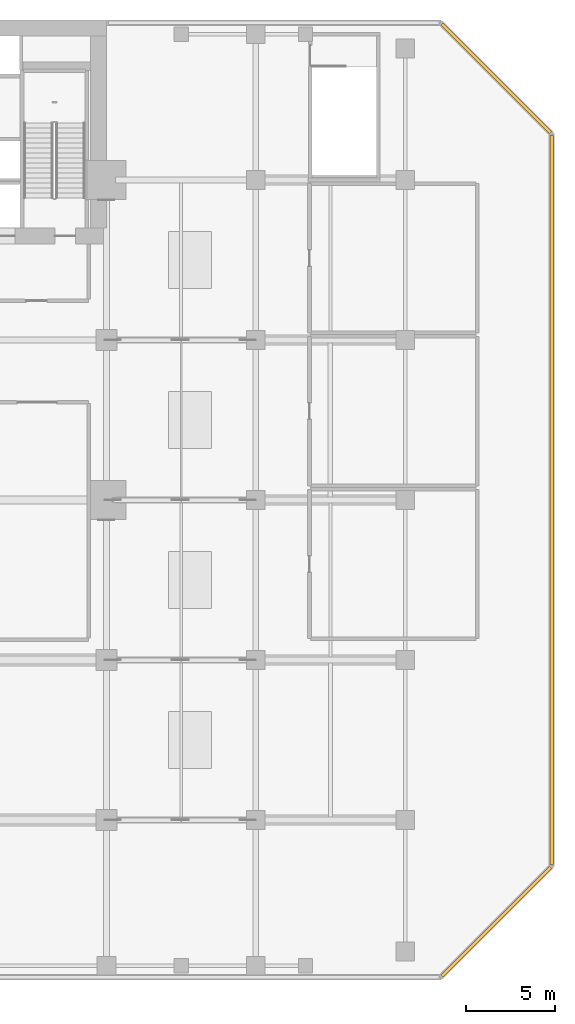
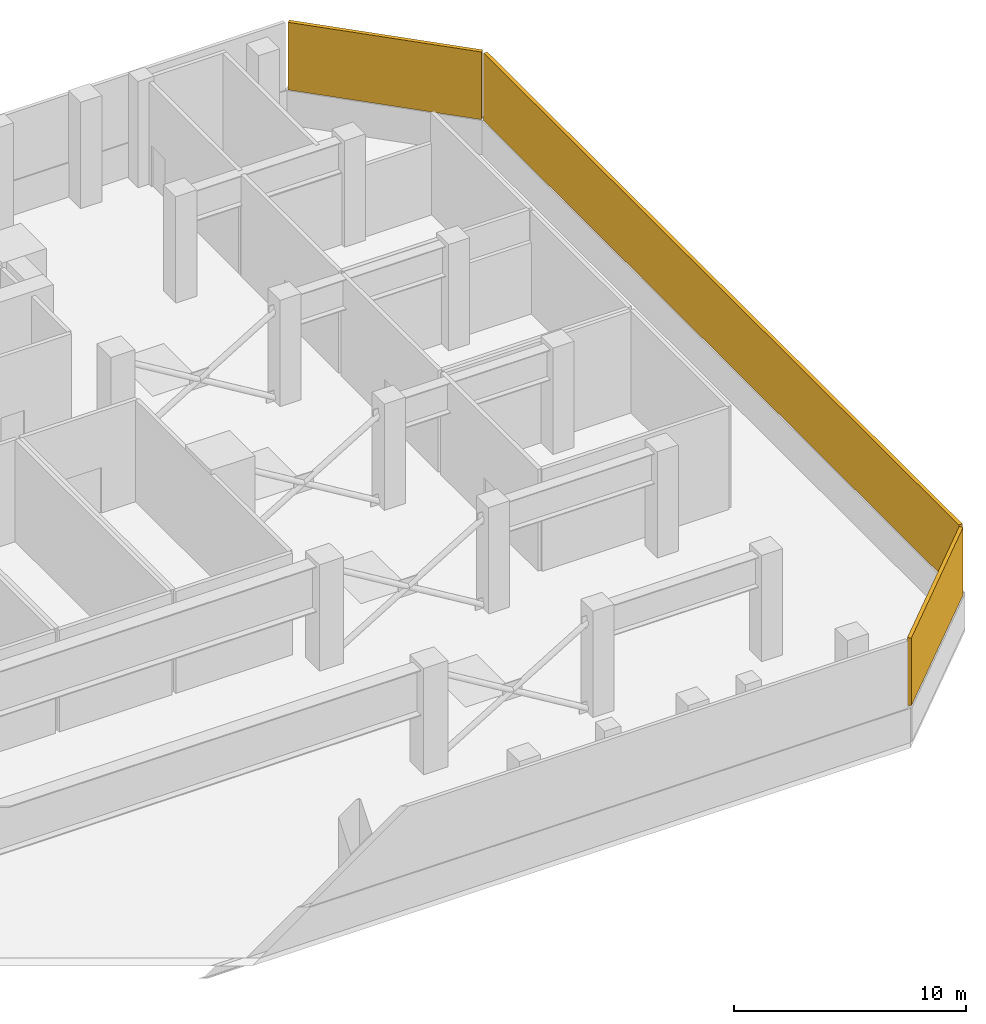
# One storey, part 15 of 15: 3 shading devices.
"""IFC4 building model written with IfcOpenShell, lengths in metres."""

from ifc_helpers import new_model, si_unit, direction, frame, origin, origin_2d, place, context, subcontext, project, spatial, rectangle, extrude, material, layer, layer_set, type_object, element, save


model = new_model("IFC4")

# Units and contexts
model_context = context("Model", 3, precision=1e-05, world=origin(), true_north=direction((0.0, 1.0)))
body_context = subcontext(model_context, "Body", "Model", "MODEL_VIEW")
ifc_project = project(units=[si_unit("LENGTHUNIT", "METRE"), si_unit("AREAUNIT", "SQUARE_METRE"), si_unit("VOLUMEUNIT", "CUBIC_METRE"), si_unit("PLANEANGLEUNIT", "RADIAN"), si_unit("MASSUNIT", "GRAM", prefix="KILO")], contexts=[model_context])

# Site, building, storey
site_placement = place(None, origin())
site = spatial("IfcSite", under=ifc_project, at=site_placement, CompositionType="ELEMENT")
building_placement = place(site_placement, origin())
building = spatial("IfcBuilding", under=site, at=building_placement, Name="Maruvema Waterfront Hotel and Observation Tower", CompositionType="ELEMENT")
storey_placement = place(building_placement, frame((0.0, 0.0, 21.35009765625)))
storey = spatial("IfcBuildingStorey", under=building, at=storey_placement, Name="L04", CompositionType="ELEMENT", Elevation=21.35009765625)

# Shading devices
ifc_material = material(Name="Anodised architectural bronze aluminium", Category="aluminium")
ifc_layer = layer(ifc_material, 0.14990234375, Name="Acoustic Weatherproof Plant Louvre Panel 150 mm")
ifc_layer_set = layer_set([ifc_layer], Name="Anodised architectural bronze aluminium")
shading_device_type = type_object("IfcShadingDeviceType", Name="Acoustic Weatherproof Plant Louvre Panel 150 mm", PredefinedType="JALOUSIE", material=ifc_layer_set)
shading_device_1_placement = place(storey_placement, frame((72.324951171875, 3.27490234375, 1.7998046875), z_axis=(0.0, 0.0, 1.0), x_axis=(0.707106781187, 0.707106781187, 0.0)))
element("IfcShadingDevice", 1, at=shading_device_1_placement, inside=storey, type_object=shading_device_type, Name="L04 Plant Acoustic Weather Louvre SE", PredefinedType="JALOUSIE", context=body_context, shape_type="SweptSolid", body=[
    extrude(rectangle(XDim=8.638916015625, YDim=0.179931640625, at=origin_2d()), origin(), (0.0, 0.0, 1.0), 3.56005859375),
])
shading_device_2_placement = place(storey_placement, frame((75.449951171875, 27.0, 1.7998046875), z_axis=(0.0, 0.0, 1.0), x_axis=(0.0, 1.0, 0.0)))
element("IfcShadingDevice", 2, at=shading_device_2_placement, inside=storey, type_object=shading_device_type, Name="L04 Plant Acoustic Weather Louvre E", PredefinedType="JALOUSIE", context=body_context, shape_type="SweptSolid", body=[
    extrude(rectangle(XDim=41.0, YDim=0.179931640625, at=origin_2d()), origin(), (0.0, 0.0, 1.0), 3.56005859375),
])
shading_device_3_placement = place(storey_placement, frame((72.324951171875, 50.72509765625, 1.7998046875), z_axis=(0.0, 0.0, 1.0), x_axis=(-0.707106781187, 0.707106781187, 0.0)))
element("IfcShadingDevice", 3, at=shading_device_3_placement, inside=storey, type_object=shading_device_type, Name="L04 Plant Acoustic Weather Louvre NE", PredefinedType="JALOUSIE", context=body_context, shape_type="SweptSolid", body=[
    extrude(rectangle(XDim=8.638916015625, YDim=0.179931640625, at=origin_2d()), origin(), (0.0, 0.0, 1.0), 3.56005859375),
])

save(model, "model.ifc")
